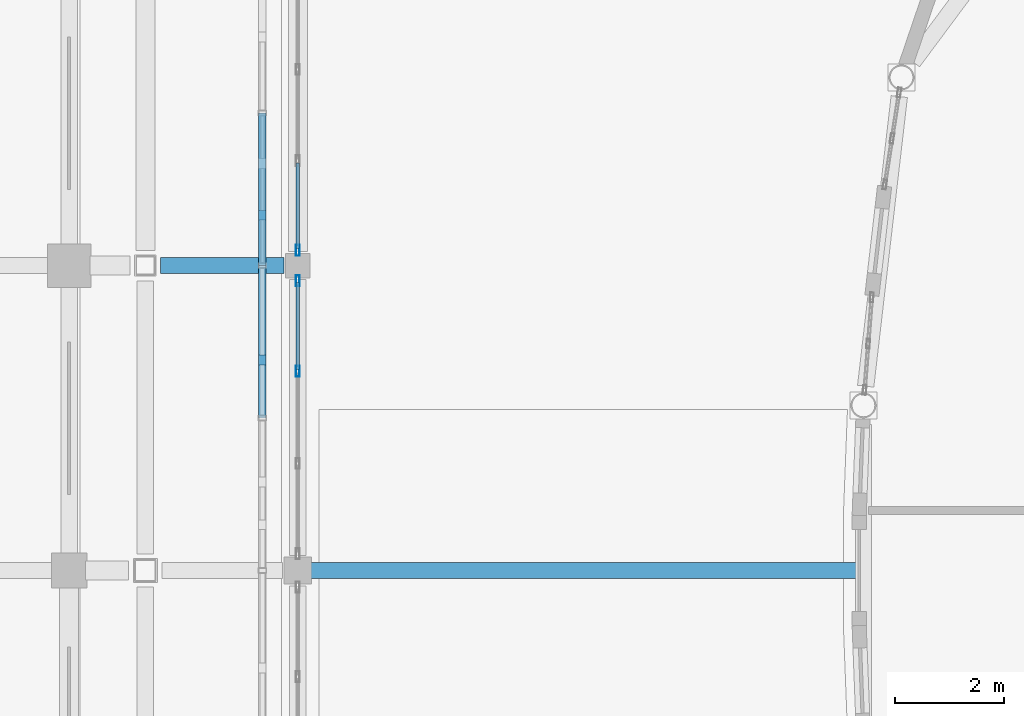
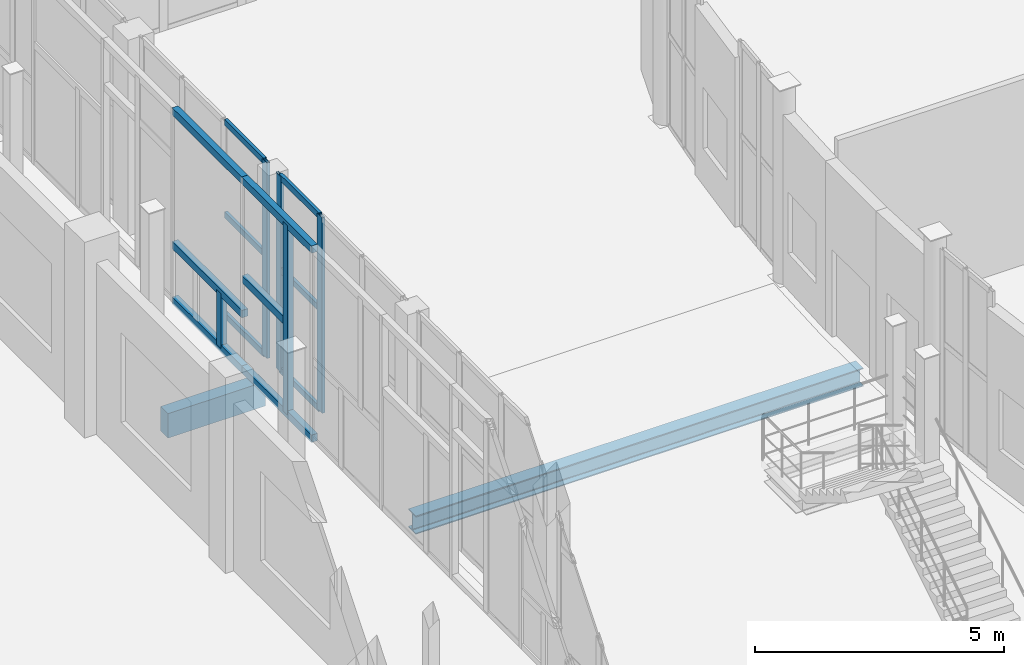
# One storey, part 35 of 91: 17 members, 2 beams, 2 elements without a shape of their own.
"""IFC4 building model written with IfcOpenShell, lengths in metres."""

from ifc_helpers import new_model, si_unit, direction, frame, origin, origin_2d, place, context, subcontext, project, spatial, rectangle, hollow_rectangle, i_section, extrude, material, layer, layer_set, material_profile, profile_set, type_object, element, aggregate, save


model = new_model("IFC4")

# Units and contexts
model_context = context("Model", 3, precision=1e-05, world=origin(), true_north=direction((0.0, 1.0)))
body_context = subcontext(model_context, "Body", "Model", "MODEL_VIEW")
ifc_project = project(units=[si_unit("LENGTHUNIT", "METRE"), si_unit("AREAUNIT", "SQUARE_METRE"), si_unit("VOLUMEUNIT", "CUBIC_METRE"), si_unit("PLANEANGLEUNIT", "RADIAN"), si_unit("MASSUNIT", "GRAM", prefix="KILO")], contexts=[model_context])

# Site, building, storey
site_placement = place(None, origin())
site = spatial("IfcSite", under=ifc_project, at=site_placement, CompositionType="ELEMENT")
building_placement = place(site_placement, origin())
building = spatial("IfcBuilding", under=site, at=building_placement, Name="Vinh Khe Railworks Police Headquarters", CompositionType="ELEMENT")
storey_placement = place(building_placement, origin())
storey = spatial("IfcBuildingStorey", under=building, at=storey_placement, Name="L00", CompositionType="ELEMENT", Elevation=0.0)

# Members
ifc_material_1 = material(Name="Salvaged ironwood timber", Category="wood")
ifc_material_profile_1 = material_profile(ifc_material_1, rectangle(XDim=0.139892578125, YDim=0.179931640625, at=origin_2d()), Name="TIMBER 140x180")
ifc_profile_set_1 = profile_set([ifc_material_profile_1], Name="Salvaged ironwood timber")
member_type_1 = type_object("IfcMemberType", Name="MEM-QUILT-STILE", PredefinedType="CHORD", material=ifc_profile_set_1)
for number, where, z_axis, x_axis, name in (
    (1, (25.75, 44.800048828125, 4.719970703125), (0.0, 1.0, 0.0), (-1.0, 0.0, 0.0), "Salvaged Timber Quilt Transom W-L00-07-TOP"),
    (2, (25.75, 44.800048828125, 0.080078125), (0.0, 1.0, 0.0), (-1.0, 0.0, 0.0), "Salvaged Timber Quilt Transom W-L00-07-BOT"),
):
    element("IfcMember", number, at=place(storey_placement, frame(where, z_axis=z_axis, x_axis=x_axis)), inside=storey, type_object=member_type_1, Name=name, PredefinedType="CHORD", context=body_context, shape_type="SweptSolid", body=[
        extrude(rectangle(XDim=0.139892578125, YDim=0.179931640625, at=origin_2d()), origin(), (0.0, 0.0, 1.0), 2.800048828125),
    ])
member_1_placement = place(storey_placement, frame((25.75, 45.864013671875, 0.080078125), z_axis=(0.0, 0.0, 1.0), x_axis=(1.0, 0.0, 0.0)))
element("IfcMember", 3, at=member_1_placement, inside=storey, type_object=member_type_1, Name="Salvaged Timber Quilt Stile W-L00-07-V1", PredefinedType="POST", context=body_context, shape_type="SweptSolid", body=[
    extrude(rectangle(XDim=0.139892578125, YDim=0.179931640625, at=origin_2d()), origin(), (0.0, 0.0, 1.0), 4.639892578125),
])
member_2_placement = place(storey_placement, frame((25.75, 45.864013671875, 2.303955078125), z_axis=(0.0, 1.0, 0.0), x_axis=(-1.0, 0.0, 0.0)))
element("IfcMember", 4, at=member_2_placement, inside=storey, type_object=member_type_1, Name="Salvaged Timber Quilt Transom W-L00-07-M1", PredefinedType="CHORD", context=body_context, shape_type="SweptSolid", body=[
    extrude(rectangle(XDim=0.139892578125, YDim=0.179931640625, at=origin_2d()), origin(), (0.0, 0.0, 1.0), 1.736083984375),
])
for number, where, z_axis, x_axis, name in (
    (5, (25.75, 47.60009765625, 4.719970703125), (0.0, 1.0, 0.0), (-1.0, 0.0, 0.0), "Salvaged Timber Quilt Transom W-L00-08-TOP"),
    (6, (25.75, 47.60009765625, 0.080078125), (0.0, 1.0, 0.0), (-1.0, 0.0, 0.0), "Salvaged Timber Quilt Transom W-L00-08-BOT"),
    (7, (25.75, 47.60009765625, 1.43994140625), (0.0, 1.0, 0.0), (-1.0, 0.0, 0.0), "Salvaged Timber Quilt Transom W-L00-08-M1"),
):
    element("IfcMember", number, at=place(storey_placement, frame(where, z_axis=z_axis, x_axis=x_axis)), inside=storey, type_object=member_type_1, Name=name, PredefinedType="CHORD", context=body_context, shape_type="SweptSolid", body=[
        extrude(rectangle(XDim=0.139892578125, YDim=0.179931640625, at=origin_2d()), origin(), (0.0, 0.0, 1.0), 2.7998046875),
    ])
member_3_placement = place(storey_placement, frame((25.75, 48.52392578125, 0.080078125), z_axis=(0.0, 0.0, 1.0), x_axis=(1.0, 0.0, 0.0)))
element("IfcMember", 8, at=member_3_placement, inside=storey, type_object=member_type_1, Name="Salvaged Timber Quilt Stile W-L00-08-V1", PredefinedType="POST", context=body_context, shape_type="SweptSolid", body=[
    extrude(rectangle(XDim=0.139892578125, YDim=0.179931640625, at=origin_2d()), origin(), (0.0, 0.0, 1.0), 1.35986328125),
])

# Curtain wall, members
ifc_material_2 = material(Name="Anodised aluminium and low-iron glass", Category="aluminium")
ifc_layer = layer(ifc_material_2, 0.179931640625)
ifc_layer_set = layer_set([ifc_layer], Name="Anodised aluminium and low-iron glass")
curtain_wall_type = type_object("IfcCurtainWallType", Name="CW-CUBE-UNIT", PredefinedType="USERDEFINED", material=ifc_layer_set)
curtain_wall_1_placement = place(storey_placement, origin())
curtain_wall_1 = element("IfcCurtainWall", 9, at=curtain_wall_1_placement, inside=storey, type_object=curtain_wall_type, Name="Entrance Hall Curtain Wall L00 W-4", ObjectType="UNITISED GLAZING", PredefinedType="USERDEFINED")
ifc_material_3 = material(Name="Anodised aluminium 6063-T6", Category="aluminium")
ifc_material_profile_2 = material_profile(ifc_material_3, hollow_rectangle(XDim=0.070068359375, YDim=0.199951171875, WallThickness=0.0048828125, at=origin_2d()), Name="CW-M 70x200x5")
ifc_profile_set_2 = profile_set([ifc_material_profile_2], Name="Anodised aluminium 6063-T6")
member_type_2 = type_object("IfcMemberType", Name="MULL-CWM-03", PredefinedType="MULLION", material=ifc_profile_set_2)
member_4_placement = place(storey_placement, frame((26.39990234375, 45.659912109375, 0.0), z_axis=(0.0, 0.0, 1.0), x_axis=(-1.0, 0.0, 0.0)))
member_4 = element("IfcMember", 10, at=member_4_placement, type_object=member_type_2, Name="CW-01 mullion 3", PredefinedType="MULLION", context=body_context, shape_type="SweptSolid", body=[
    extrude(hollow_rectangle(XDim=0.070068359375, YDim=0.199951171875, WallThickness=0.0048828125, at=origin_2d()), origin(), (0.0, 0.0, 1.0), 4.800048828125),
])
member_5_placement = place(storey_placement, frame((26.39990234375, 47.320068359375, 0.0), z_axis=(0.0, 0.0, 1.0), x_axis=(-1.0, 0.0, 0.0)))
member_5 = element("IfcMember", 11, at=member_5_placement, type_object=member_type_2, Name="CW-01 mullion 4", PredefinedType="MULLION", context=body_context, shape_type="SweptSolid", body=[
    extrude(hollow_rectangle(XDim=0.070068359375, YDim=0.199951171875, WallThickness=0.0048828125, at=origin_2d()), origin(), (0.0, 0.0, 1.0), 4.800048828125),
])

# Curtain wall, member
curtain_wall_2_placement = place(storey_placement, origin())
curtain_wall_2 = element("IfcCurtainWall", 12, at=curtain_wall_2_placement, inside=storey, type_object=curtain_wall_type, Name="Entrance Hall Curtain Wall L00 W-5", ObjectType="UNITISED GLAZING", PredefinedType="USERDEFINED")
member_6_placement = place(storey_placement, frame((26.39990234375, 47.8798828125, 0.0), z_axis=(0.0, 0.0, 1.0), x_axis=(-1.0, 0.0, 0.0)))
member_6 = element("IfcMember", 13, at=member_6_placement, type_object=member_type_2, Name="CW-01 mullion 1", PredefinedType="MULLION", context=body_context, shape_type="SweptSolid", body=[
    extrude(hollow_rectangle(XDim=0.070068359375, YDim=0.199951171875, WallThickness=0.0048828125, at=origin_2d()), origin(), (0.0, 0.0, 1.0), 4.800048828125),
])

# Beams
ifc_material_4 = material(Name="Concrete C35/45 (B35)", Category="concrete")
ifc_material_profile_3 = material_profile(ifc_material_4, rectangle(XDim=0.300048828125, YDim=0.60009765625, at=origin_2d()), Name="RC 300x600")
ifc_profile_set_3 = profile_set([ifc_material_profile_3], Name="Concrete C35/45 (B35)")
beam_type_1 = type_object("IfcBeamType", Name="RC Girder RC 300x600", PredefinedType="BEAM", material=ifc_profile_set_3)
beam_1_placement = place(storey_placement, frame((23.8798828125, 47.60009765625, -0.580078125), z_axis=(1.0, 0.0, 0.0), x_axis=(0.0, 1.0, 0.0)))
element("IfcBeam", 14, at=beam_1_placement, inside=storey, type_object=beam_type_1, Name="Girder BM-L00-EW-RB-09-0065", PredefinedType="BEAM", context=body_context, shape_type="SweptSolid", body=[
    extrude(rectangle(XDim=0.300048828125, YDim=0.60009765625, at=origin_2d()), origin(), (0.0, 0.0, 1.0), 2.26513671875),
])
ifc_material_5 = material(Name="Steel S355JR", Category="steel")
ifc_material_profile_4 = material_profile(ifc_material_5, i_section(OverallWidth=0.300048828125, OverallDepth=0.449951171875, WebThickness=0.013916015625, FlangeThickness=0.02587890625, FilletRadius=0.027099609375, at=origin_2d()), Name="HEB 450")
ifc_profile_set_4 = profile_set([ifc_material_profile_4], Name="Steel S355JR")
beam_type_2 = type_object("IfcBeamType", Name="Steel Girder HEB 450", PredefinedType="BEAM", material=ifc_profile_set_4)
beam_2_placement = place(storey_placement, frame((26.39990234375, 42.0, -0.5048828125), z_axis=(1.0, 0.0, 0.0), x_axis=(0.0, 1.0, 0.0)))
element("IfcBeam", 15, at=beam_2_placement, inside=storey, type_object=beam_type_2, Name="Concourse Link Bridge Girder BM-L00-LINK-SB-07-0403", PredefinedType="BEAM", context=body_context, shape_type="SweptSolid", body=[
    extrude(i_section(OverallWidth=0.300048828125, OverallDepth=0.449951171875, WebThickness=0.013916015625, FlangeThickness=0.02587890625, FilletRadius=0.027099609375, at=origin_2d()), origin(), (0.0, 0.0, 1.0), 10.3876953125),
])

# Member
ifc_material_profile_5 = material_profile(ifc_material_3, hollow_rectangle(XDim=0.070068359375, YDim=0.14990234375, WallThickness=0.0048828125, at=origin_2d()), Name="CW-T 70x150x5")
ifc_profile_set_5 = profile_set([ifc_material_profile_5], Name="Anodised aluminium 6063-T6")
member_type_3 = type_object("IfcMemberType", Name="TRAN-CWT-03", PredefinedType="USERDEFINED", material=ifc_profile_set_5)
member_7_placement = place(storey_placement, frame((26.39990234375, 45.695068359375, 0.034912109375), z_axis=(0.0, 1.0, 0.0), x_axis=(-1.0, 0.0, 0.0)))
member_7 = element("IfcMember", 16, at=member_7_placement, type_object=member_type_3, Name="CW-01 transom 3.1", ObjectType="TRANSOM", PredefinedType="USERDEFINED", context=body_context, shape_type="SweptSolid", body=[
    extrude(hollow_rectangle(XDim=0.070068359375, YDim=0.14990234375, WallThickness=0.0048828125, at=origin_2d()), origin(), (0.0, 0.0, 1.0), 1.58984375),
])

member_8_placement = place(storey_placement, frame((26.39990234375, 45.695068359375, 2.49609375), z_axis=(0.0, 1.0, 0.0), x_axis=(-1.0, 0.0, 0.0)))
member_8 = element("IfcMember", 17, at=member_8_placement, type_object=member_type_3, Name="CW-01 transom 3.2", ObjectType="TRANSOM", PredefinedType="USERDEFINED", context=body_context, shape_type="SweptSolid", body=[
    extrude(hollow_rectangle(XDim=0.070068359375, YDim=0.14990234375, WallThickness=0.0048828125, at=origin_2d()), origin(), (0.0, 0.0, 1.0), 1.58984375),
])

member_9_placement = place(storey_placement, frame((26.39990234375, 45.695068359375, 4.764892578125), z_axis=(0.0, 1.0, 0.0), x_axis=(-1.0, 0.0, 0.0)))
member_9 = element("IfcMember", 18, at=member_9_placement, type_object=member_type_3, Name="CW-01 transom 3.3", ObjectType="TRANSOM", PredefinedType="USERDEFINED", context=body_context, shape_type="SweptSolid", body=[
    extrude(hollow_rectangle(XDim=0.070068359375, YDim=0.14990234375, WallThickness=0.0048828125, at=origin_2d()), origin(), (0.0, 0.0, 1.0), 1.58984375),
])

aggregate(curtain_wall_1, [member_4, member_5, member_7, member_8, member_9])

member_10_placement = place(storey_placement, frame((26.39990234375, 47.9150390625, 0.034912109375), z_axis=(0.0, 1.0, 0.0), x_axis=(-1.0, 0.0, 0.0)))
member_10 = element("IfcMember", 19, at=member_10_placement, type_object=member_type_3, Name="CW-01 transom 1.1", ObjectType="TRANSOM", PredefinedType="USERDEFINED", context=body_context, shape_type="SweptSolid", body=[
    extrude(hollow_rectangle(XDim=0.070068359375, YDim=0.14990234375, WallThickness=0.0048828125, at=origin_2d()), origin(), (0.0, 0.0, 1.0), 1.5732421875),
])

member_11_placement = place(storey_placement, frame((26.39990234375, 47.9150390625, 2.49609375), z_axis=(0.0, 1.0, 0.0), x_axis=(-1.0, 0.0, 0.0)))
member_11 = element("IfcMember", 20, at=member_11_placement, type_object=member_type_3, Name="CW-01 transom 1.2", ObjectType="TRANSOM", PredefinedType="USERDEFINED", context=body_context, shape_type="SweptSolid", body=[
    extrude(hollow_rectangle(XDim=0.070068359375, YDim=0.14990234375, WallThickness=0.0048828125, at=origin_2d()), origin(), (0.0, 0.0, 1.0), 1.5732421875),
])

member_12_placement = place(storey_placement, frame((26.39990234375, 47.9150390625, 4.764892578125), z_axis=(0.0, 1.0, 0.0), x_axis=(-1.0, 0.0, 0.0)))
member_12 = element("IfcMember", 21, at=member_12_placement, type_object=member_type_3, Name="CW-01 transom 1.3", ObjectType="TRANSOM", PredefinedType="USERDEFINED", context=body_context, shape_type="SweptSolid", body=[
    extrude(hollow_rectangle(XDim=0.070068359375, YDim=0.14990234375, WallThickness=0.0048828125, at=origin_2d()), origin(), (0.0, 0.0, 1.0), 1.5732421875),
])

aggregate(curtain_wall_2, [member_6, member_10, member_11, member_12])

save(model, "model.ifc")
